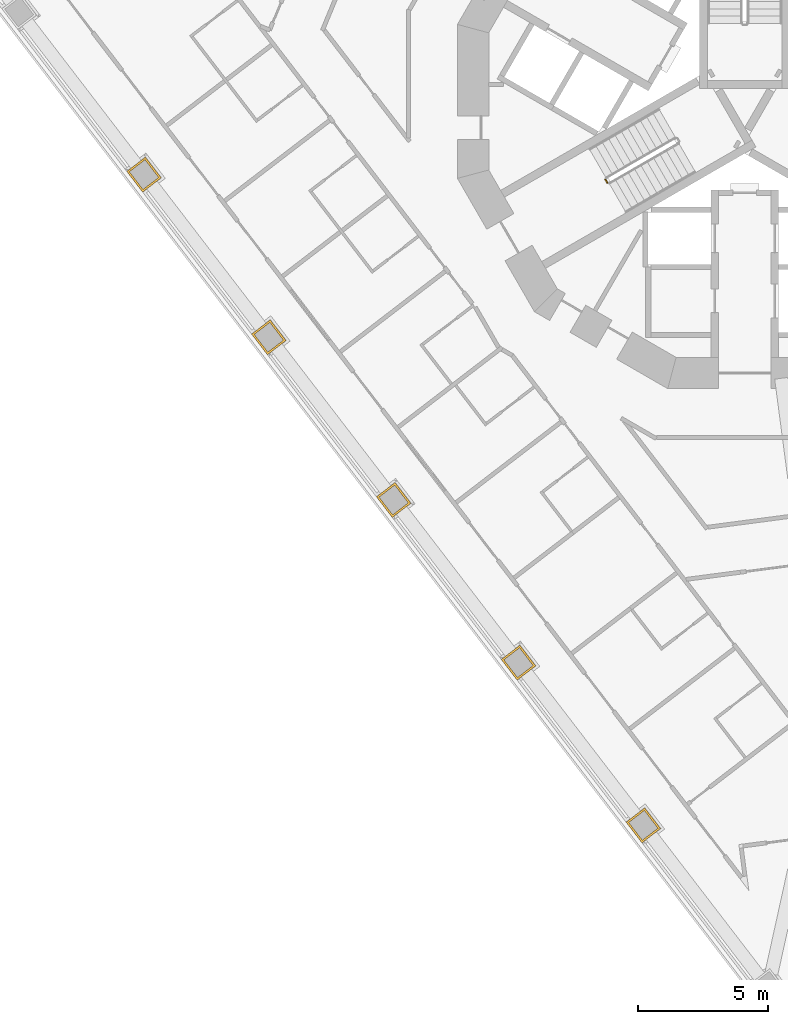
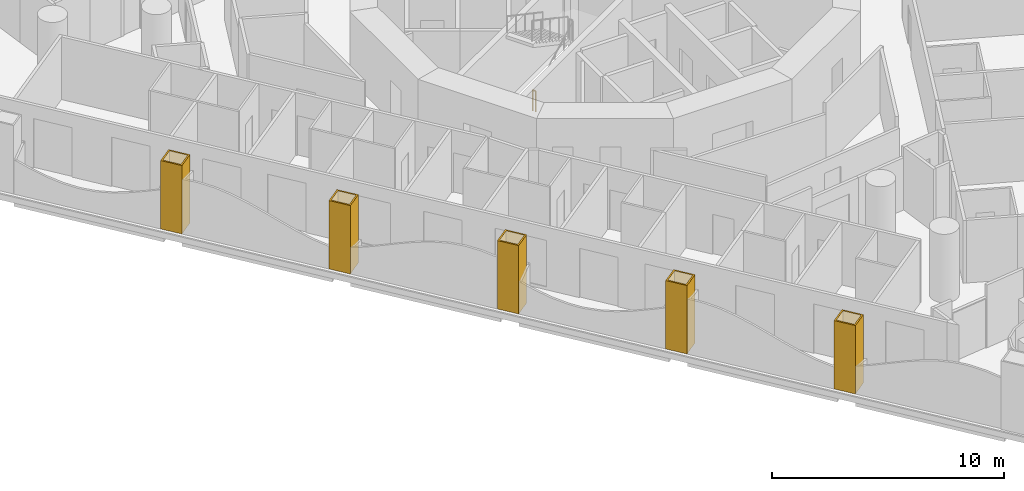
# One storey, part 12 of 19: 5 coverings, 1 railing.
"""IFC4 building model written with IfcOpenShell, lengths in metres."""

import ifcopenshell
import ifcopenshell.guid

model = None  # the IFC model being written
_history = None  # IfcOwnerHistory: only IFC2X3 demands one
_inside = {}  # id of a spatial element -> (the spatial element, [elements in it])
_under = {}  # id of a project, library or spatial element -> (it, [spatial elements below it])
_declared = {}  # id of a project -> (the project, [libraries it declares])
_typed = {}  # id of a type object -> (the type object, [elements of that type])
_made_of = {}  # id of a material, layer set ... -> (it, [elements and type objects made of it])


def new_model(schema):
    """Start an empty IFC model of exactly this schema.

    Asked for "IFC4X3", IfcOpenShell would pick the latest addendum, in which some entities
    have other attributes; the version numbers below select the first issue.
    IFC2X3 requires an IfcOwnerHistory on every rooted entity: one is made here for all.
    """
    global model, _history
    if schema == "IFC4X3":
        model = ifcopenshell.file(schema_version=(4, 3, 0, 0))
    else:
        model = ifcopenshell.file(schema=schema)
    _inside.clear()
    _under.clear()
    _declared.clear()
    _typed.clear()
    _made_of.clear()
    _history = None
    if model.schema == "IFC2X3":
        org = make("IfcOrganization", Name="unknown")
        user = make(
            "IfcPersonAndOrganization",
            ThePerson=make("IfcPerson", FamilyName="unknown"),
            TheOrganization=org,
        )
        app = make(
            "IfcApplication",
            ApplicationDeveloper=org,
            Version="unknown",
            ApplicationFullName="unknown",
            ApplicationIdentifier="unknown",
        )
        _history = make(
            "IfcOwnerHistory",
            OwningUser=user,
            OwningApplication=app,
            ChangeAction="ADDED",
            CreationDate=0,
        )
    return model


def make(cls, **values):
    """One entity of the class cls with the attributes given. An attribute that is None is left unset."""
    return model.create_entity(
        cls, **{name: value for name, value in values.items() if value is not None}
    )


def rooted(cls, **values):
    """An entity with a GlobalId (a new one), such as an element, a storey or a relation."""
    return make(cls, GlobalId=ifcopenshell.guid.new(), OwnerHistory=_history, **values)


def si_unit(unit_type, name, prefix=None):
    """IfcSIUnit, for example si_unit("LENGTHUNIT", "METRE", prefix="MILLI")."""
    return make("IfcSIUnit", UnitType=unit_type, Prefix=prefix, Name=name)


def assignment(units):
    """IfcUnitAssignment: the units of a project."""
    return None if units is None else make("IfcUnitAssignment", Units=units)


def point(xyz):
    """IfcCartesianPoint."""
    return None if xyz is None else make("IfcCartesianPoint", Coordinates=xyz)


def direction(xyz):
    """IfcDirection."""
    return None if xyz is None else make("IfcDirection", DirectionRatios=xyz)


def frame(location, z_axis=None, x_axis=None):
    """IfcAxis2Placement3D, a coordinate frame: its origin and axes. An axis left out is left unset."""
    return make(
        "IfcAxis2Placement3D",
        Location=point(location),
        Axis=direction(z_axis),
        RefDirection=direction(x_axis),
    )


def frame_2d(location, x_axis=None):
    """IfcAxis2Placement2D, a coordinate frame in the plane: its origin and x axis."""
    return make(
        "IfcAxis2Placement2D", Location=point(location), RefDirection=direction(x_axis)
    )


def origin():
    """The frame at (0, 0, 0) with its axes left unset."""
    return frame((0.0, 0.0, 0.0))


def origin_2d():
    """The frame at (0, 0) in the plane with its x axis left unset."""
    return frame_2d((0.0, 0.0))


def place(relative_to, where):
    """IfcLocalPlacement: puts the frame where relative to a parent placement (None: the world)."""
    return make(
        "IfcLocalPlacement", PlacementRelTo=relative_to, RelativePlacement=where
    )


def context(
    kind, dimensions, precision=None, world=None, true_north=None, identifier=None
):
    """IfcGeometricRepresentationContext, for example the 3D "Model" context."""
    return make(
        "IfcGeometricRepresentationContext",
        ContextIdentifier=identifier,
        ContextType=kind,
        CoordinateSpaceDimension=dimensions,
        Precision=precision,
        WorldCoordinateSystem=world,
        TrueNorth=true_north,
    )


def subcontext(parent, identifier, kind, view, scale=None):
    """IfcGeometricRepresentationSubContext, for example "Body" below "Model"."""
    return make(
        "IfcGeometricRepresentationSubContext",
        ContextIdentifier=identifier,
        ContextType=kind,
        ParentContext=parent,
        TargetScale=scale,
        TargetView=view,
    )


def project(units=None, contexts=None):
    """IfcProject with its units and contexts."""
    return rooted(
        "IfcProject",
        Name="project",
        RepresentationContexts=contexts,
        UnitsInContext=assignment(units),
    )


def spatial(cls, under=None, at=None, **own):
    """A site, building, storey or space (cls), placed at a placement, below another one or the project."""
    s = rooted(cls, ObjectPlacement=at, **own)
    if under is not None:
        _under.setdefault(under.id(), (under, []))[1].append(s)
    return s


def polyline(points):
    """IfcPolyline through the points."""
    return make("IfcPolyline", Points=[point(p) for p in points])


def profile(cls, at=None, kind="AREA", **sizes):
    """A parametric profile (cls). Its sizes go by their IFC names, for example OverallWidth=200.0."""
    return make(cls, ProfileType=kind, Position=at, **sizes)


def circle(**sizes):
    """IfcCircleProfileDef."""
    return profile("IfcCircleProfileDef", **sizes)


def outline(outer, holes=None, kind="AREA"):
    """IfcArbitraryClosedProfileDef: a profile drawn as a closed curve; with holes, ...WithVoids."""
    if holes is None:
        return make("IfcArbitraryClosedProfileDef", ProfileType=kind, OuterCurve=outer)
    return make(
        "IfcArbitraryProfileDefWithVoids",
        ProfileType=kind,
        OuterCurve=outer,
        InnerCurves=holes,
    )


def extrude(swept, where, along, depth):
    """IfcExtrudedAreaSolid: the profile swept, set in the frame where, extruded along a direction by depth."""
    return make(
        "IfcExtrudedAreaSolid",
        SweptArea=swept,
        Position=where,
        ExtrudedDirection=direction(along),
        Depth=depth,
    )


def shape(context_of_items, identifier, shape_type, items):
    """IfcShapeRepresentation: the items that make up one representation, for example the "Body"."""
    return make(
        "IfcShapeRepresentation",
        ContextOfItems=context_of_items,
        RepresentationIdentifier=identifier,
        RepresentationType=shape_type,
        Items=items,
    )


def material(Name=None, Category=None):
    """IfcMaterial."""
    return make("IfcMaterial", Name=Name, Category=Category)


def layer(
    of_material, thickness, ventilated=None, Name=None, Category=None, Priority=None
):
    """IfcMaterialLayer: one layer of a wall or slab, of a material (None: an air gap)."""
    return make(
        "IfcMaterialLayer",
        Material=of_material,
        LayerThickness=thickness,
        IsVentilated=ventilated,
        Name=Name,
        Category=Category,
        Priority=Priority,
    )


def layer_set(layers, Name=None):
    """IfcMaterialLayerSet."""
    return make("IfcMaterialLayerSet", MaterialLayers=layers, LayerSetName=Name)


def made_of(thing, what):
    """Note that an element or type object is made of a material, layer set ...; save() writes the relation."""
    if what is not None:
        _made_of.setdefault(what.id(), (what, []))[1].append(thing)
    return thing


def type_object(cls, material=None, **own):
    """A type object (cls), such as IfcWallType, which elements share."""
    return made_of(rooted(cls, **own), material)


def element(
    cls,
    number,
    at=None,
    inside=None,
    cuts=None,
    type_object=None,
    material=None,
    context=None,
    identifier="Body",
    shape_type=None,
    held_by="IfcProductDefinitionShape",
    body=None,
    shapes=None,
    **own,
):
    """One element of the class cls, such as IfcWall. Its Tag is "e" and its number.

    at: its placement. inside: the storey or other place that contains it. cuts: it is an
    opening in that element (IfcRelVoidsElement). A single representation is given by context,
    identifier, shape_type and body (its items); several are given by shapes. held_by: the class
    of the entity that holds the representations. save() writes the other relations.
    """
    e = rooted(cls, Tag="e%d" % number, ObjectPlacement=at, **own)
    if body is not None:
        shapes = [shape(context, identifier, shape_type, body)]
    if shapes is not None:
        e.Representation = make(held_by, Representations=shapes)
    if inside is not None:
        _inside.setdefault(inside.id(), (inside, []))[1].append(e)
    if cuts is not None:
        rooted(
            "IfcRelVoidsElement", RelatingBuildingElement=cuts, RelatedOpeningElement=e
        )
    if type_object is not None:
        _typed.setdefault(type_object.id(), (type_object, []))[1].append(e)
    return made_of(e, material)


def aggregate(whole, parts):
    """IfcRelAggregates: a whole, such as a stair, and the parts it consists of."""
    return rooted("IfcRelAggregates", RelatingObject=whole, RelatedObjects=parts)


def save(model, path):
    """Write the relations noted so far, then the file.

    IfcRelAggregates (storeys below a building ...), IfcRelContainedInSpatialStructure (elements
    in a storey), IfcRelDefinesByType, IfcRelAssociatesMaterial and IfcRelDeclares: one each for
    every whole, place, type object, material and project.
    """
    for whole, parts in _under.values():
        aggregate(whole, parts)
    for where, things in _inside.values():
        rooted(
            "IfcRelContainedInSpatialStructure",
            RelatedElements=things,
            RelatingStructure=where,
        )
    for kind, things in _typed.values():
        rooted("IfcRelDefinesByType", RelatedObjects=things, RelatingType=kind)
    for what, things in _made_of.values():
        rooted("IfcRelAssociatesMaterial", RelatedObjects=things, RelatingMaterial=what)
    for by, libraries in _declared.values():
        rooted("IfcRelDeclares", RelatingContext=by, RelatedDefinitions=libraries)
    model.write(path)


model = new_model("IFC4")

# Units and contexts
model_context = context("Model", 3, precision=1e-05, world=origin(), true_north=direction((0.0, 1.0)))
body_context = subcontext(model_context, "Body", "Model", "MODEL_VIEW")
ifc_project = project(units=[si_unit("LENGTHUNIT", "METRE"), si_unit("AREAUNIT", "SQUARE_METRE"), si_unit("VOLUMEUNIT", "CUBIC_METRE"), si_unit("PLANEANGLEUNIT", "RADIAN"), si_unit("MASSUNIT", "GRAM", prefix="KILO")], contexts=[model_context])

# Site, building, storey
site_placement = place(None, origin())
site = spatial("IfcSite", under=ifc_project, at=site_placement, CompositionType="ELEMENT")
building_placement = place(site_placement, origin())
building = spatial("IfcBuilding", under=site, at=building_placement, Name="Trine Commons Tower", CompositionType="ELEMENT")
storey_placement = place(building_placement, frame((0.0, 0.0, 54.0)))
storey = spatial("IfcBuildingStorey", under=building, at=storey_placement, Name="L12", CompositionType="ELEMENT", Elevation=54.0)

# Coverings
ifc_material_1 = material(Name="Limestone, honed", Category="masonry")
ifc_layer = layer(ifc_material_1, 0.074951171875)
ifc_layer_set = layer_set([ifc_layer], Name="Limestone, honed")
covering_type = type_object("IfcCoveringType", Name="Limestone column cladding 75", PredefinedType="CLADDING", material=ifc_layer_set)
covering_1_placement = place(storey_placement, origin())
element("IfcCovering", 1, at=covering_1_placement, inside=storey, type_object=covering_type, Name="Limestone pier cladding 2-02", PredefinedType="CLADDING", context=body_context, shape_type="SweptSolid", body=[
    extrude(outline(polyline([(76.1669921875, 35.419189453125), (75.452880859375, 34.87109375), (76.061767578125, 34.077880859375), (76.775634765625, 34.625732421875), (76.1669921875, 35.419189453125)]), holes=[polyline([(76.153076171875, 35.31396484375), (75.55810546875, 34.857421875), (76.075439453125, 34.18310546875), (76.67041015625, 34.6396484375), (76.153076171875, 35.31396484375)])]), origin(), (0.0, 0.0, 1.0), 3.60009765625),
])
covering_2_placement = place(storey_placement, origin())
element("IfcCovering", 2, at=covering_2_placement, inside=storey, type_object=covering_type, Name="Limestone pier cladding 2-03", PredefinedType="CLADDING", context=body_context, shape_type="SweptSolid", body=[
    extrude(outline(polyline([(71.381591796875, 41.6552734375), (70.667724609375, 41.107421875), (71.276611328125, 40.314208984375), (71.990478515625, 40.862060546875), (71.381591796875, 41.6552734375)]), holes=[polyline([(71.367919921875, 41.55029296875), (70.77294921875, 41.093505859375), (71.290283203125, 40.419189453125), (71.88525390625, 40.875732421875), (71.367919921875, 41.55029296875)])]), origin(), (0.0, 0.0, 1.0), 3.60009765625),
])
covering_3_placement = place(storey_placement, origin())
element("IfcCovering", 3, at=covering_3_placement, inside=storey, type_object=covering_type, Name="Limestone pier cladding 2-04", PredefinedType="CLADDING", context=body_context, shape_type="SweptSolid", body=[
    extrude(outline(polyline([(66.5966796875, 47.891357421875), (65.882568359375, 47.343505859375), (66.491455078125, 46.55029296875), (67.205322265625, 47.09814453125), (66.5966796875, 47.891357421875)]), holes=[polyline([(66.582763671875, 47.786376953125), (65.98779296875, 47.32958984375), (66.505126953125, 46.6552734375), (67.10009765625, 47.11181640625), (66.582763671875, 47.786376953125)])]), origin(), (0.0, 0.0, 1.0), 3.60009765625),
])
covering_4_placement = place(storey_placement, origin())
element("IfcCovering", 4, at=covering_4_placement, inside=storey, type_object=covering_type, Name="Limestone pier cladding 2-05", PredefinedType="CLADDING", context=body_context, shape_type="SweptSolid", body=[
    extrude(outline(polyline([(61.811279296875, 54.127685546875), (61.097412109375, 53.57958984375), (61.706298828125, 52.786376953125), (62.420166015625, 53.334228515625), (61.811279296875, 54.127685546875)]), holes=[polyline([(61.797607421875, 54.0224609375), (61.20263671875, 53.56591796875), (61.719970703125, 52.8916015625), (62.31494140625, 53.34814453125), (61.797607421875, 54.0224609375)])]), origin(), (0.0, 0.0, 1.0), 3.60009765625),
])
covering_5_placement = place(storey_placement, origin())
element("IfcCovering", 5, at=covering_5_placement, inside=storey, type_object=covering_type, Name="Limestone pier cladding 2-06", PredefinedType="CLADDING", context=body_context, shape_type="SweptSolid", body=[
    extrude(outline(polyline([(57.026123046875, 60.36376953125), (56.312255859375, 59.81591796875), (56.9208984375, 59.022705078125), (57.635009765625, 59.570556640625), (57.026123046875, 60.36376953125)]), holes=[polyline([(57.012451171875, 60.2587890625), (56.41748046875, 59.802001953125), (56.934814453125, 59.127685546875), (57.52978515625, 59.584228515625), (57.012451171875, 60.2587890625)])]), origin(), (0.0, 0.0, 1.0), 3.60009765625),
])

# Railing
ifc_material_2 = material(Name="Stainless steel balustrade", Category="steel")
railing_type = type_object("IfcRailingType", Name="Stair guard, steel balustrade 1100", PredefinedType="GUARDRAIL", material=ifc_material_2)
railing_placement = place(storey_placement, frame((74.73681640625, 59.374755859375, 0.0)))
element("IfcRailing", 6, at=railing_placement, inside=storey, type_object=railing_type, Name="L12 ST2A stair guard 4", PredefinedType="GUARDRAIL", context=body_context, shape_type="SweptSolid", body=[
    extrude(circle(Radius=0.02392578125, at=origin_2d()), frame((0.0, 0.0, 1.076171875), z_axis=(-0.499816412211, 0.866131372301, 0.0), x_axis=(-0.866131372301, -0.499816412211, 0.0)), (0.0, 0.0, 1.0), 0.14990234375),
    extrude(circle(Radius=0.02099609375, at=origin_2d()), origin(), (0.0, 0.0, 1.0), 1.052001953125),
    extrude(circle(Radius=0.02099609375, at=origin_2d()), frame((-0.074951171875, 0.1298828125, 0.0)), (0.0, 0.0, 1.0), 1.052001953125),
])

save(model, "model.ifc")
